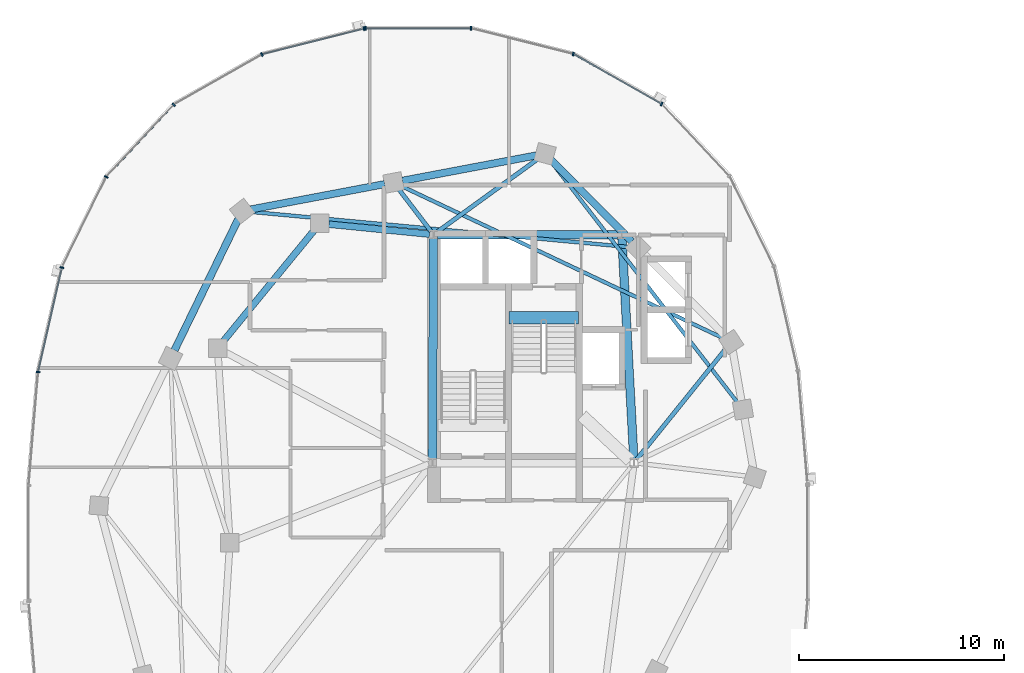
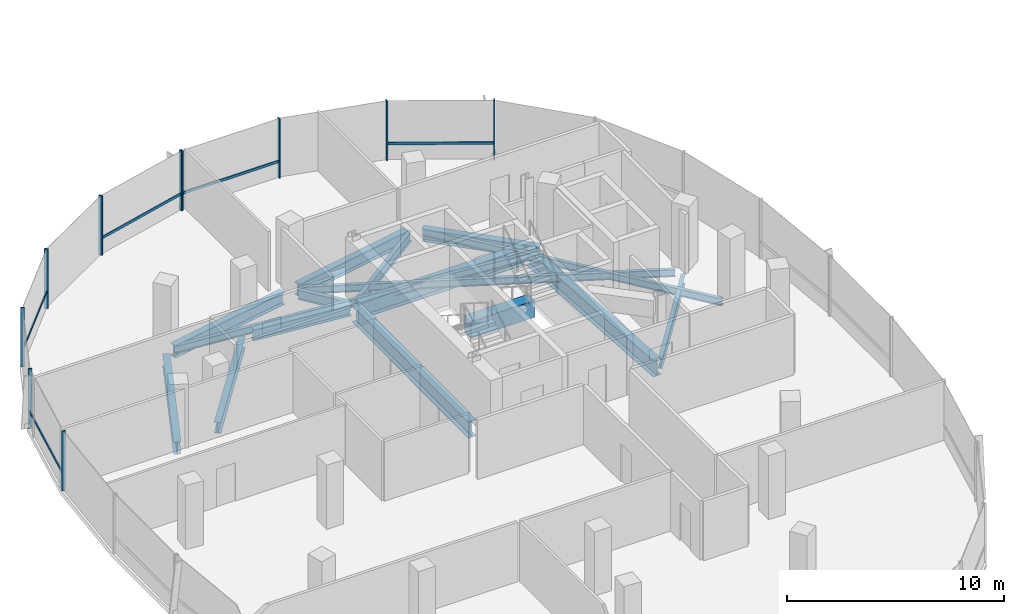
# One storey, part 6 of 25: 16 beams, 15 members, 2 elements without a shape of their own.
"""IFC4 building model written with IfcOpenShell, lengths in metres."""

from ifc_helpers import new_model, si_unit, direction, frame, origin, origin_2d, place, context, subcontext, project, spatial, rectangle, i_section, extrude, material, material_profile, profile_set, type_object, element, aggregate, save


model = new_model("IFC4")

# Units and contexts
model_context = context("Model", 3, precision=1e-05, world=origin(), true_north=direction((0.0, 1.0)))
body_context = subcontext(model_context, "Body", "Model", "MODEL_VIEW")
ifc_project = project(units=[si_unit("LENGTHUNIT", "METRE"), si_unit("AREAUNIT", "SQUARE_METRE"), si_unit("VOLUMEUNIT", "CUBIC_METRE"), si_unit("PLANEANGLEUNIT", "RADIAN"), si_unit("MASSUNIT", "GRAM", prefix="KILO"), si_unit("THERMODYNAMICTEMPERATUREUNIT", "KELVIN"), si_unit("POWERUNIT", "WATT")], contexts=[model_context])

# Site, building, storey
site_placement = place(None, origin())
site = spatial("IfcSite", under=ifc_project, at=site_placement, CompositionType="ELEMENT")
building_placement = place(site_placement, origin())
building = spatial("IfcBuilding", under=site, at=building_placement, Name="Cundina Bronze Exchange", CompositionType="ELEMENT")
storey_placement = place(building_placement, frame((0.0, 0.0, 206.199951171875)))
storey = spatial("IfcBuildingStorey", under=building, at=storey_placement, Name="L54", CompositionType="ELEMENT", Elevation=206.199951171875)

# Beams
ifc_material_1 = material(Name="Concrete C60/75", Category="concrete")
ifc_material_profile_1 = material_profile(ifc_material_1, rectangle(XDim=0.60009765625, YDim=0.949951171875, at=origin_2d()), Name="RC600X950", Category="concrete")
ifc_profile_set_1 = profile_set([ifc_material_profile_1], Name="Concrete C60/75")
beam_type_1 = type_object("IfcBeamType", Name="BM-COUP-RC950", PredefinedType="LINTEL", material=ifc_profile_set_1)
beam_1_placement = place(storey_placement, frame((-27.56005859375, 10.97998046875, -0.474853515625), z_axis=(1.0, 0.0, 0.0), x_axis=(0.0, 1.0, 0.0)))
element("IfcBeam", 1, at=beam_1_placement, inside=storey, type_object=beam_type_1, Name="L54 Stair W2 Landing Header Beam", PredefinedType="LINTEL", context=body_context, shape_type="SweptSolid", body=[
    extrude(rectangle(XDim=0.60009765625, YDim=0.949951171875, at=origin_2d()), origin(), (0.0, 0.0, 1.0), 3.400146484375),
])
ifc_material_2 = material(Name="Steel ASTM A992 Grade 50", Category="steel")
ifc_material_profile_2 = material_profile(ifc_material_2, i_section(OverallWidth=0.2119140625, OverallDepth=0.5439453125, WebThickness=0.01318359375, FlangeThickness=0.021240234375, FilletRadius=0.013916015625, at=origin_2d()), Name="W21X83", Category="steel")
ifc_profile_set_2 = profile_set([ifc_material_profile_2], Name="Steel ASTM A992 Grade 50")
beam_type_2 = type_object("IfcBeamType", Name="BM-FLR-W21A", PredefinedType="BEAM", material=ifc_profile_set_2)
beam_2_placement = place(storey_placement, frame((-21.3271484375, 4.052734375, -0.531982421875), z_axis=(0.627128630072, 0.778915708755, 0.0), x_axis=(-0.778915708755, 0.627128630072, 0.0)))
element("IfcBeam", 2, at=beam_2_placement, inside=storey, type_object=beam_type_2, Name="L54 Leg W Radial Floor Beam 02", PredefinedType="BEAM", context=body_context, shape_type="SweptSolid", body=[
    extrude(i_section(OverallWidth=0.2119140625, OverallDepth=0.5439453125, WebThickness=0.01318359375, FlangeThickness=0.021240234375, FilletRadius=0.013916015625, at=origin_2d()), origin(), (0.0, 0.0, 1.0), 6.9404296875),
])
beam_3_placement = place(storey_placement, frame((-31.09130859375, 15.1650390625, -0.531982421875), z_axis=(0.809709858543, 0.586830422677, 0.0), x_axis=(-0.586830422677, 0.809709858543, 0.0)))
element("IfcBeam", 3, at=beam_3_placement, inside=storey, type_object=beam_type_2, Name="L54 Leg W Radial Floor Beam 04", PredefinedType="BEAM", context=body_context, shape_type="SweptSolid", body=[
    extrude(i_section(OverallWidth=0.2119140625, OverallDepth=0.5439453125, WebThickness=0.01318359375, FlangeThickness=0.021240234375, FilletRadius=0.013916015625, at=origin_2d()), origin(), (0.0, 0.0, 1.0), 6.096923828125),
])
beam_4_placement = place(storey_placement, frame((-31.369140625, 15.205810546875, -0.531982421875), z_axis=(-0.60740437517, 0.794392802727, 0.0), x_axis=(-0.794392802727, -0.60740437517, 0.0)))
element("IfcBeam", 4, at=beam_4_placement, inside=storey, type_object=beam_type_2, Name="L54 Leg W Radial Floor Beam 05", PredefinedType="BEAM", context=body_context, shape_type="SweptSolid", body=[
    extrude(i_section(OverallWidth=0.2119140625, OverallDepth=0.5439453125, WebThickness=0.01318359375, FlangeThickness=0.021240234375, FilletRadius=0.013916015625, at=origin_2d()), origin(), (0.0, 0.0, 1.0), 2.575927734375),
])
ifc_material_profile_3 = material_profile(ifc_material_2, i_section(OverallWidth=0.178955078125, OverallDepth=0.409912109375, WebThickness=0.0087890625, FlangeThickness=0.014404296875, FilletRadius=0.010986328125, at=origin_2d()), Name="W16X45", Category="steel")
ifc_profile_set_3 = profile_set([ifc_material_profile_3], Name="Steel ASTM A992 Grade 50")
beam_type_3 = type_object("IfcBeamType", Name="BM-JST-W16", PredefinedType="JOIST", material=ifc_profile_set_3)
beam_5_placement = place(storey_placement, frame((-16.39306640625, 6.846435546875, -0.46484375), z_axis=(-0.612085793291, 0.790791364174, 0.0), x_axis=(-0.790791364174, -0.612085793291, 0.0)))
element("IfcBeam", 5, at=beam_5_placement, inside=storey, type_object=beam_type_3, Name="L54 Leg W Lobe Floor Joist 01-04", PredefinedType="JOIST", context=body_context, shape_type="SweptSolid", body=[
    extrude(i_section(OverallWidth=0.178955078125, OverallDepth=0.409912109375, WebThickness=0.0087890625, FlangeThickness=0.014404296875, FilletRadius=0.010986328125, at=origin_2d()), origin(), (0.0, 0.0, 1.0), 14.9306640625),
])
beam_6_placement = place(storey_placement, frame((-17.095947265625, 9.9873046875, -0.46484375), z_axis=(-0.904073747204, 0.427376484632, 0.0), x_axis=(-0.427376484632, -0.904073747204, 0.0)))
element("IfcBeam", 6, at=beam_6_placement, inside=storey, type_object=beam_type_3, Name="L54 Leg W Lobe Floor Joist 02-05", PredefinedType="JOIST", context=body_context, shape_type="SweptSolid", body=[
    extrude(i_section(OverallWidth=0.178955078125, OverallDepth=0.409912109375, WebThickness=0.0087890625, FlangeThickness=0.014404296875, FilletRadius=0.010986328125, at=origin_2d()), origin(), (0.0, 0.0, 1.0), 17.374755859375),
])
beam_7_placement = place(storey_placement, frame((-21.68603515625, 14.440673828125, -0.46484375), z_axis=(-0.9957017803, 0.092617302415, 0.0), x_axis=(-0.092617302415, -0.9957017803, 0.0)))
element("IfcBeam", 7, at=beam_7_placement, inside=storey, type_object=beam_type_3, Name="L54 Leg W Lobe Floor Joist 03-06", PredefinedType="JOIST", context=body_context, shape_type="SweptSolid", body=[
    extrude(i_section(OverallWidth=0.178955078125, OverallDepth=0.409912109375, WebThickness=0.0087890625, FlangeThickness=0.014404296875, FilletRadius=0.010986328125, at=origin_2d()), origin(), (0.0, 0.0, 1.0), 18.5576171875),
])
ifc_material_profile_4 = material_profile(ifc_material_2, i_section(OverallWidth=0.324951171875, OverallDepth=0.615966796875, WebThickness=0.013916015625, FlangeThickness=0.021484375, FilletRadius=0.01611328125, at=origin_2d()), Name="W24X117", Category="steel")
ifc_profile_set_4 = profile_set([ifc_material_profile_4], Name="Steel ASTM A992 Grade 50")
beam_type_4 = type_object("IfcBeamType", Name="BM-RING-W24", PredefinedType="USERDEFINED", material=ifc_profile_set_4)
beam_8_placement = place(storey_placement, frame((-31.445068359375, 15.0693359375, -0.56787109375), z_axis=(-0.995123854478, 0.09863323096, 0.0), x_axis=(-0.09863323096, -0.995123854478, 0.0)))
element("IfcBeam", 8, at=beam_8_placement, inside=storey, type_object=beam_type_4, Name="L54 W Inner Structural Ring Girder 01", ObjectType="GIRDER", PredefinedType="USERDEFINED", context=body_context, shape_type="SweptSolid", body=[
    extrude(i_section(OverallWidth=0.324951171875, OverallDepth=0.615966796875, WebThickness=0.013916015625, FlangeThickness=0.021484375, FilletRadius=0.01611328125, at=origin_2d()), origin(), (0.0, 0.0, 1.0), 4.943115234375),
])
beam_9_placement = place(storey_placement, frame((-37.07763671875, 15.26123046875, -0.56787109375), z_axis=(-0.633912590175, -0.77340469873, 0.0), x_axis=(0.77340469873, -0.633912590175, 0.0)))
element("IfcBeam", 9, at=beam_9_placement, inside=storey, type_object=beam_type_4, Name="L54 W Inner Structural Ring Girder 02", ObjectType="GIRDER", PredefinedType="USERDEFINED", context=body_context, shape_type="SweptSolid", body=[
    extrude(i_section(OverallWidth=0.324951171875, OverallDepth=0.615966796875, WebThickness=0.013916015625, FlangeThickness=0.021484375, FilletRadius=0.01611328125, at=origin_2d()), origin(), (0.0, 0.0, 1.0), 7.01123046875),
])
ifc_material_profile_5 = material_profile(ifc_material_2, i_section(OverallWidth=0.35498046875, OverallDepth=0.695068359375, WebThickness=0.015380859375, FlangeThickness=0.02490234375, FilletRadius=0.01806640625, at=origin_2d()), Name="W27X146", Category="steel")
ifc_profile_set_5 = profile_set([ifc_material_profile_5], Name="Steel ASTM A992 Grade 50")
beam_type_5 = type_object("IfcBeamType", Name="BM-RING-W27", PredefinedType="USERDEFINED", material=ifc_profile_set_5)
beam_10_placement = place(storey_placement, frame((-21.55810546875, 14.71142578125, -0.607421875), z_axis=(-0.703211928763, 0.710980297368, 0.0), x_axis=(-0.710980297368, -0.703211928763, 0.0)))
element("IfcBeam", 10, at=beam_10_placement, inside=storey, type_object=beam_type_5, Name="L54 W Perimeter Ring Girder 03", ObjectType="GIRDER", PredefinedType="USERDEFINED", context=body_context, shape_type="SweptSolid", body=[
    extrude(i_section(OverallWidth=0.35498046875, OverallDepth=0.695068359375, WebThickness=0.015380859375, FlangeThickness=0.02490234375, FilletRadius=0.01806640625, at=origin_2d()), origin(), (0.0, 0.0, 1.0), 5.593994140625),
])
beam_11_placement = place(storey_placement, frame((-26.23046875, 18.918701171875, -0.607421875), z_axis=(-0.982565174657, -0.185918470175, 0.0), x_axis=(0.185918470175, -0.982565174657, 0.0)))
element("IfcBeam", 11, at=beam_11_placement, inside=storey, type_object=beam_type_5, Name="L54 W Perimeter Ring Girder 04", ObjectType="GIRDER", PredefinedType="USERDEFINED", context=body_context, shape_type="SweptSolid", body=[
    extrude(i_section(OverallWidth=0.35498046875, OverallDepth=0.695068359375, WebThickness=0.015380859375, FlangeThickness=0.02490234375, FilletRadius=0.01806640625, at=origin_2d()), origin(), (0.0, 0.0, 1.0), 6.655029296875),
])
beam_12_placement = place(storey_placement, frame((-33.63037109375, 17.5185546875, -0.607421875), z_axis=(-0.982573143022, -0.185876353022, 0.0), x_axis=(0.185876353022, -0.982573143022, 0.0)))
element("IfcBeam", 12, at=beam_12_placement, inside=storey, type_object=beam_type_5, Name="L54 W Perimeter Ring Girder 05", ObjectType="GIRDER", PredefinedType="USERDEFINED", context=body_context, shape_type="SweptSolid", body=[
    extrude(i_section(OverallWidth=0.35498046875, OverallDepth=0.695068359375, WebThickness=0.015380859375, FlangeThickness=0.02490234375, FilletRadius=0.01806640625, at=origin_2d()), origin(), (0.0, 0.0, 1.0), 6.6552734375),
])
beam_13_placement = place(storey_placement, frame((-40.79150390625, 15.80615234375, -0.607421875), z_axis=(-0.437173087764, -0.89937739094, 0.0), x_axis=(0.89937739094, -0.437173087764, 0.0)))
element("IfcBeam", 13, at=beam_13_placement, inside=storey, type_object=beam_type_5, Name="L54 W Perimeter Ring Girder 06", ObjectType="GIRDER", PredefinedType="USERDEFINED", context=body_context, shape_type="SweptSolid", body=[
    extrude(i_section(OverallWidth=0.35498046875, OverallDepth=0.695068359375, WebThickness=0.015380859375, FlangeThickness=0.02490234375, FilletRadius=0.01806640625, at=origin_2d()), origin(), (0.0, 0.0, 1.0), 7.1298828125),
])
ifc_material_profile_6 = material_profile(ifc_material_2, i_section(OverallWidth=0.41796875, OverallDepth=0.927001953125, WebThickness=0.019287109375, FlangeThickness=0.031982421875, FilletRadius=0.02392578125, at=origin_2d()), Name="W36X231", Category="steel")
ifc_profile_set_6 = profile_set([ifc_material_profile_6], Name="Steel ASTM A992 Grade 50")
beam_type_6 = type_object("IfcBeamType", Name="BM-WRN-W36B", PredefinedType="USERDEFINED", material=ifc_profile_set_6)
beam_14_placement = place(storey_placement, frame((-21.46044921875, 4.095703125, -0.723388671875), z_axis=(-0.053749317644, 0.998554460634, 0.0), x_axis=(-0.998554460634, -0.053749317644, 0.0)))
element("IfcBeam", 14, at=beam_14_placement, inside=storey, type_object=beam_type_6, Name="L54 W Core Perimeter Tie Girder 2", ObjectType="GIRDER", PredefinedType="USERDEFINED", context=body_context, shape_type="SweptSolid", body=[
    extrude(i_section(OverallWidth=0.41796875, OverallDepth=0.927001953125, WebThickness=0.019287109375, FlangeThickness=0.031982421875, FilletRadius=0.02392578125, at=origin_2d()), origin(), (0.0, 0.0, 1.0), 10.774169921875),
])
beam_15_placement = place(storey_placement, frame((-22.24609375, 15.050048828125, -0.723388671875), z_axis=(-1.0, 0.0, 0.0), x_axis=(0.0, -1.0, 0.0)))
element("IfcBeam", 15, at=beam_15_placement, inside=storey, type_object=beam_type_6, Name="L54 W Core Perimeter Tie Girder 3", ObjectType="GIRDER", PredefinedType="USERDEFINED", context=body_context, shape_type="SweptSolid", body=[
    extrude(i_section(OverallWidth=0.41796875, OverallDepth=0.927001953125, WebThickness=0.019287109375, FlangeThickness=0.031982421875, FilletRadius=0.02392578125, at=origin_2d()), origin(), (0.0, 0.0, 1.0), 8.807861328125),
])
beam_16_placement = place(storey_placement, frame((-31.2509765625, 14.85400390625, -0.723388671875), z_axis=(-0.004470623654, -0.999990006712, 0.0), x_axis=(0.999990006712, -0.004470623654, 0.0)))
element("IfcBeam", 16, at=beam_16_placement, inside=storey, type_object=beam_type_6, Name="L54 W Core Perimeter Tie Girder 4", ObjectType="GIRDER", PredefinedType="USERDEFINED", context=body_context, shape_type="SweptSolid", body=[
    extrude(i_section(OverallWidth=0.41796875, OverallDepth=0.927001953125, WebThickness=0.019287109375, FlangeThickness=0.031982421875, FilletRadius=0.02392578125, at=origin_2d()), origin(), (0.0, 0.0, 1.0), 10.758056640625),
])

# Curtain wall, members
ifc_material_3 = material(Name="Anodised Bronze Aluminium 6063-T6", Category="aluminium")
curtain_wall_type = type_object("IfcCurtainWallType", Name="CWS-UPP-OFF", PredefinedType="NOTDEFINED", material=ifc_material_3)
curtain_wall_1_placement = place(storey_placement, origin())
curtain_wall_1 = element("IfcCurtainWall", 17, at=curtain_wall_1_placement, inside=storey, type_object=curtain_wall_type, Name="L54 CW-05 Curtain Wall Run CWR-L54-W1", PredefinedType="NOTDEFINED")
ifc_material_profile_7 = material_profile(ifc_material_3, rectangle(XDim=0.070068359375, YDim=0.18994140625, at=origin_2d()), Name="AL70X190", Category="aluminium")
ifc_profile_set_7 = profile_set([ifc_material_profile_7], Name="Anodised Bronze Aluminium 6063-T6")
member_type_1 = type_object("IfcMemberType", Name="CWM-MUL-190", PredefinedType="MULLION", material=ifc_profile_set_7)
member_1_placement = place(storey_placement, frame((-20.100341796875, 21.43115234375, 0.0), z_axis=(0.0, 0.0, 1.0), x_axis=(-0.86958112538, 0.493790103568, 0.0)))
member_1 = element("IfcMember", 18, at=member_1_placement, type_object=member_type_1, Name="CW-05 Mullion 5", PredefinedType="MULLION", context=body_context, shape_type="SweptSolid", body=[
    extrude(rectangle(XDim=0.070068359375, YDim=0.18994140625, at=origin_2d()), origin(), (0.0, 0.0, 1.0), 3.340087890625),
])
member_2_placement = place(storey_placement, frame((-24.422607421875, 23.87548828125, 0.0), z_axis=(0.0, 0.0, 1.0), x_axis=(-0.969744325821, 0.244122802168, 0.0)))
member_2 = element("IfcMember", 19, at=member_2_placement, type_object=member_type_1, Name="CW-05 Mullion 6", PredefinedType="MULLION", context=body_context, shape_type="SweptSolid", body=[
    extrude(rectangle(XDim=0.070068359375, YDim=0.18994140625, at=origin_2d()), origin(), (0.0, 0.0, 1.0), 3.340087890625),
])
member_3_placement = place(storey_placement, frame((-29.419921875, 25.125, 0.0), z_axis=(0.0, 0.0, 1.0), x_axis=(-1.0, 0.0, 0.0)))
member_3 = element("IfcMember", 20, at=member_3_placement, type_object=member_type_1, Name="CW-05 Mullion 7", PredefinedType="MULLION", context=body_context, shape_type="SweptSolid", body=[
    extrude(rectangle(XDim=0.070068359375, YDim=0.18994140625, at=origin_2d()), origin(), (0.0, 0.0, 1.0), 3.340087890625),
])
member_4_placement = place(storey_placement, frame((-34.580078125, 25.125, 0.0), z_axis=(0.0, 0.0, 1.0), x_axis=(-1.0, 0.0, 0.0)))
member_4 = element("IfcMember", 21, at=member_4_placement, type_object=member_type_1, Name="CW-05 End Mullion", PredefinedType="MULLION", context=body_context, shape_type="SweptSolid", body=[
    extrude(rectangle(XDim=0.070068359375, YDim=0.18994140625, at=origin_2d()), origin(), (0.0, 0.0, 1.0), 3.340087890625),
])

curtain_wall_2_placement = place(storey_placement, origin())
curtain_wall_2 = element("IfcCurtainWall", 22, at=curtain_wall_2_placement, inside=storey, type_object=curtain_wall_type, Name="L54 CW-05 Curtain Wall Run CWR-L54-W2", PredefinedType="NOTDEFINED")
member_5_placement = place(storey_placement, frame((-34.6484375, 25.116455078125, 0.0), z_axis=(0.0, 0.0, 1.0), x_axis=(-0.969744325821, -0.244122802168, 0.0)))
member_5 = element("IfcMember", 23, at=member_5_placement, type_object=member_type_1, Name="CW-05 Mullion 1", PredefinedType="MULLION", context=body_context, shape_type="SweptSolid", body=[
    extrude(rectangle(XDim=0.070068359375, YDim=0.18994140625, at=origin_2d()), origin(), (0.0, 0.0, 1.0), 3.340087890625),
])
member_6_placement = place(storey_placement, frame((-39.638916015625, 23.850830078125, 0.0), z_axis=(0.0, 0.0, 1.0), x_axis=(-0.86958112538, -0.493790103568, 0.0)))
member_6 = element("IfcMember", 24, at=member_6_placement, type_object=member_type_1, Name="CW-05 Mullion 2", PredefinedType="MULLION", context=body_context, shape_type="SweptSolid", body=[
    extrude(rectangle(XDim=0.070068359375, YDim=0.18994140625, at=origin_2d()), origin(), (0.0, 0.0, 1.0), 3.340087890625),
])
member_7_placement = place(storey_placement, frame((-43.94873046875, 21.392578125, 0.0), z_axis=(0.0, 0.0, 1.0), x_axis=(-0.684292606175, -0.729207535023, 0.0)))
member_7 = element("IfcMember", 25, at=member_7_placement, type_object=member_type_1, Name="CW-05 Mullion 3", PredefinedType="MULLION", context=body_context, shape_type="SweptSolid", body=[
    extrude(rectangle(XDim=0.070068359375, YDim=0.18994140625, at=origin_2d()), origin(), (0.0, 0.0, 1.0), 3.340087890625),
])
member_8_placement = place(storey_placement, frame((-47.245361328125, 17.866455078125, 0.0), z_axis=(0.0, 0.0, 1.0), x_axis=(-0.440566004113, -0.897720221461, 0.0)))
member_8 = element("IfcMember", 26, at=member_8_placement, type_object=member_type_1, Name="CW-05 Mullion 4", PredefinedType="MULLION", context=body_context, shape_type="SweptSolid", body=[
    extrude(rectangle(XDim=0.070068359375, YDim=0.18994140625, at=origin_2d()), origin(), (0.0, 0.0, 1.0), 3.340087890625),
])
member_9_placement = place(storey_placement, frame((-49.40771484375, 13.440673828125, 0.0), z_axis=(0.0, 0.0, 1.0), x_axis=(-0.223250116011, -0.974761194191, 0.0)))
member_9 = element("IfcMember", 27, at=member_9_placement, type_object=member_type_1, Name="CW-05 Mullion 5", PredefinedType="MULLION", context=body_context, shape_type="SweptSolid", body=[
    extrude(rectangle(XDim=0.070068359375, YDim=0.18994140625, at=origin_2d()), origin(), (0.0, 0.0, 1.0), 3.340087890625),
])
member_10_placement = place(storey_placement, frame((-50.572509765625, 8.33056640625, 0.0), z_axis=(0.0, 0.0, 1.0), x_axis=(-0.083677843332, -0.99649285925, 0.0)))
member_10 = element("IfcMember", 28, at=member_10_placement, type_object=member_type_1, Name="CW-05 Mullion 6", PredefinedType="MULLION", context=body_context, shape_type="SweptSolid", body=[
    extrude(rectangle(XDim=0.070068359375, YDim=0.18994140625, at=origin_2d()), origin(), (0.0, 0.0, 1.0), 3.340087890625),
])

# Member
ifc_material_profile_8 = material_profile(ifc_material_3, rectangle(XDim=0.06494140625, YDim=0.14990234375, at=origin_2d()), Name="AL65X150", Category="aluminium")
ifc_profile_set_8 = profile_set([ifc_material_profile_8], Name="Anodised Bronze Aluminium 6063-T6")
member_type_2 = type_object("IfcMemberType", Name="CWM-TRN-150", PredefinedType="USERDEFINED", material=ifc_profile_set_8)
member_11_placement = place(storey_placement, frame((-20.1337890625, 21.4501953125, 0.920166015625), z_axis=(-0.869573748083, 0.493803095013, 0.0), x_axis=(-0.493803095013, -0.869573748083, 0.0)))
member_11 = element("IfcMember", 29, at=member_11_placement, type_object=member_type_2, Name="CW-05 Spandrel Transom 5", ObjectType="TRANSOM", PredefinedType="USERDEFINED", context=body_context, shape_type="SweptSolid", body=[
    extrude(rectangle(XDim=0.06494140625, YDim=0.14990234375, at=origin_2d()), origin(), (0.0, 0.0, 1.0), 4.900146484375),
])

member_12_placement = place(storey_placement, frame((-29.45849609375, 25.125, 0.920166015625), z_axis=(-1.0, 0.0, 0.0), x_axis=(0.0, -1.0, 0.0)))
member_12 = element("IfcMember", 30, at=member_12_placement, type_object=member_type_2, Name="CW-05 Spandrel Transom 7", ObjectType="TRANSOM", PredefinedType="USERDEFINED", context=body_context, shape_type="SweptSolid", body=[
    extrude(rectangle(XDim=0.06494140625, YDim=0.14990234375, at=origin_2d()), origin(), (0.0, 0.0, 1.0), 5.0830078125),
])

aggregate(curtain_wall_1, [member_1, member_11, member_2, member_3, member_4, member_12])

member_13_placement = place(storey_placement, frame((-34.685791015625, 25.107177734375, 0.920166015625), z_axis=(-0.969725738797, -0.244196624699, 0.0), x_axis=(0.244196624699, -0.969725738797, 0.0)))
member_13 = element("IfcMember", 31, at=member_13_placement, type_object=member_type_2, Name="CW-05 Spandrel Transom 1", ObjectType="TRANSOM", PredefinedType="USERDEFINED", context=body_context, shape_type="SweptSolid", body=[
    extrude(rectangle(XDim=0.06494140625, YDim=0.14990234375, at=origin_2d()), origin(), (0.0, 0.0, 1.0), 5.082763671875),
])

member_14_placement = place(storey_placement, frame((-43.97509765625, 21.364501953125, 0.920166015625), z_axis=(-0.684336416554, -0.729166420633, 0.0), x_axis=(0.729166420633, -0.684336416554, 0.0)))
member_14 = element("IfcMember", 32, at=member_14_placement, type_object=member_type_2, Name="CW-05 Spandrel Transom 3", ObjectType="TRANSOM", PredefinedType="USERDEFINED", context=body_context, shape_type="SweptSolid", body=[
    extrude(rectangle(XDim=0.06494140625, YDim=0.14990234375, at=origin_2d()), origin(), (0.0, 0.0, 1.0), 4.76513671875),
])

member_15_placement = place(storey_placement, frame((-49.41650390625, 13.403076171875, 0.920166015625), z_axis=(-0.22328343579, -0.974753562344, 0.0), x_axis=(0.974753562344, -0.22328343579, 0.0)))
member_15 = element("IfcMember", 33, at=member_15_placement, type_object=member_type_2, Name="CW-05 Spandrel Transom 5", ObjectType="TRANSOM", PredefinedType="USERDEFINED", context=body_context, shape_type="SweptSolid", body=[
    extrude(rectangle(XDim=0.06494140625, YDim=0.14990234375, at=origin_2d()), origin(), (0.0, 0.0, 1.0), 5.159912109375),
])

aggregate(curtain_wall_2, [member_5, member_13, member_6, member_7, member_14, member_8, member_9, member_15, member_10])

save(model, "model.ifc")
